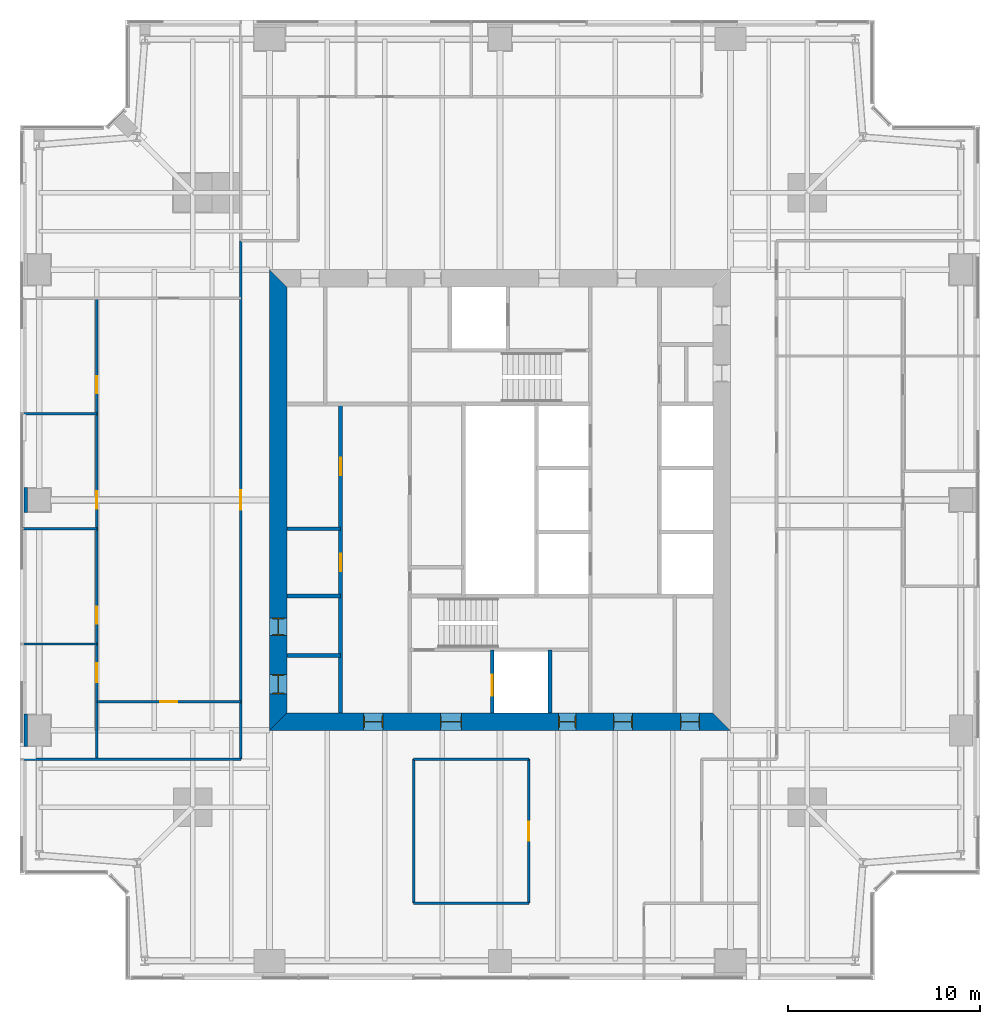
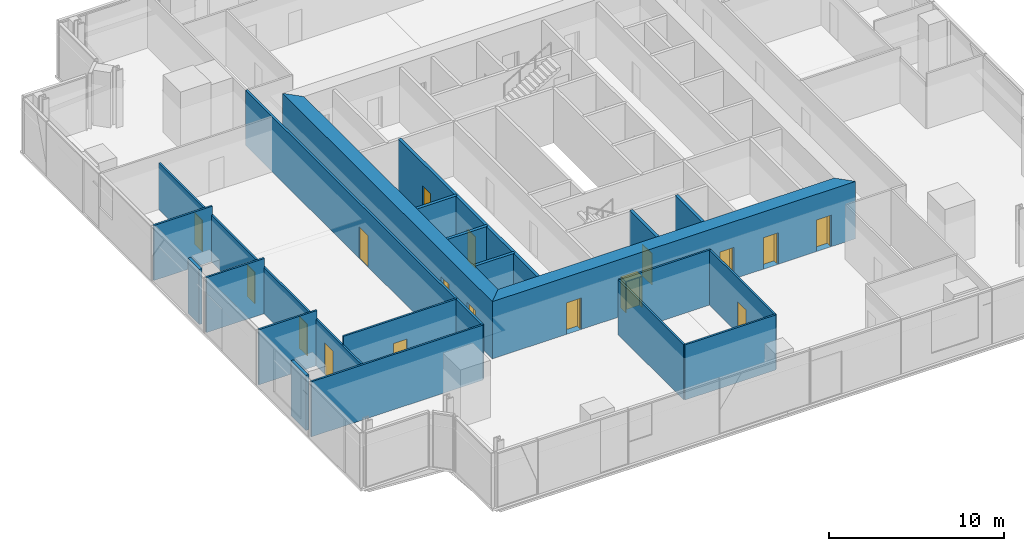
# One storey, part 9 of 14: 21 walls, 17 doors, 17 openings.
"""IFC4 building model written with IfcOpenShell, lengths in metres."""

from ifc_helpers import new_model, si_unit, direction, frame, frame_2d, origin, place, context, subcontext, project, spatial, polyline, rectangle, outline, extrude, material, layer, layer_set, type_object, element, fill, save


model = new_model("IFC4")

# Units and contexts
model_context = context("Model", 3, precision=1e-05, world=origin(), true_north=direction((0.0, 1.0)))
body_context = subcontext(model_context, "Body", "Model", "MODEL_VIEW")
ifc_project = project(units=[si_unit("LENGTHUNIT", "METRE"), si_unit("AREAUNIT", "SQUARE_METRE"), si_unit("VOLUMEUNIT", "CUBIC_METRE"), si_unit("PLANEANGLEUNIT", "RADIAN"), si_unit("MASSUNIT", "GRAM", prefix="KILO")], contexts=[model_context])

# Site, building, storey
site_placement = place(None, origin())
site = spatial("IfcSite", under=ifc_project, at=site_placement, CompositionType="ELEMENT")
building_placement = place(site_placement, origin())
building = spatial("IfcBuilding", under=site, at=building_placement, Name="Fenwick Lantern Interchange", CompositionType="ELEMENT")
storey_placement = place(building_placement, frame((0.0, 0.0, 173.800048828125)))
storey = spatial("IfcBuildingStorey", under=building, at=storey_placement, Name="L40", CompositionType="ELEMENT", Elevation=173.800048828125)

# Walls
ifc_material_1 = material(Name="Fire-rated gypsum board encasement on steel studs, 2 hour", Category="steel")
ifc_layer_1 = layer(ifc_material_1, 1.300048828125)
ifc_layer_set_1 = layer_set([ifc_layer_1], Name="COLUMN PIER 1300")
wall_type_1 = type_object("IfcWallType", Name="COLUMN PIER 1300", PredefinedType="PARTITIONING", material=ifc_layer_set_1)
wall_1_placement = place(storey_placement, frame((0.199951171875, 25.0, 0.0), z_axis=(0.0, 0.0, 1.0), x_axis=(1.0, 0.0, 0.0)))
element("IfcWall", 1, at=wall_1_placement, inside=storey, type_object=wall_type_1, Name="L40/W/PIER/CW3", PredefinedType="PARTITIONING", context=body_context, shape_type="SweptSolid", body=[
    extrude(rectangle(XDim=0.199951171875, YDim=1.300048828125, at=frame_2d((0.10009765625, 0.0))), origin(), (0.0, 0.0, 1.0), 3.849853515625),
])
ifc_layer_2 = layer(ifc_material_1, 1.699951171875)
ifc_layer_set_2 = layer_set([ifc_layer_2], Name="COLUMN PIER 1700")
wall_type_2 = type_object("IfcWallType", Name="COLUMN PIER 1700", PredefinedType="PARTITIONING", material=ifc_layer_set_2)
wall_2_placement = place(storey_placement, frame((0.199951171875, 13.0, 0.0), z_axis=(0.0, 0.0, 1.0), x_axis=(1.0, 0.0, 0.0)))
element("IfcWall", 2, at=wall_2_placement, inside=storey, type_object=wall_type_2, Name="L40/W/PIER/CW4", PredefinedType="PARTITIONING", context=body_context, shape_type="SweptSolid", body=[
    extrude(rectangle(XDim=0.199951171875, YDim=1.699951171875, at=frame_2d((0.10009765625, 0.0))), origin(), (0.0, 0.0, 1.0), 3.849853515625),
])

# Wall, openings, doors
ifc_material_2 = material(Name="Concrete masonry ASTM C90 Grade N", Category="masonry")
ifc_layer_3 = layer(ifc_material_2, 0.199951171875)
ifc_layer_set_3 = layer_set([ifc_layer_3], Name="Concrete masonry ASTM C90 Grade N")
wall_type_3 = type_object("IfcWallType", Name="CORE PARTITION 200", PredefinedType="PARTITIONING", material=ifc_layer_set_3)
wall_3_placement = place(storey_placement, frame((16.699951171875, 13.89990234375, 0.0), z_axis=(0.0, 0.0, 1.0), x_axis=(0.0, 1.0, 0.0)))
wall_3 = element("IfcWall", 3, at=wall_3_placement, inside=storey, type_object=wall_type_3, Name="L40/W/CORES/a", PredefinedType="PARTITIONING", context=body_context, shape_type="SweptSolid", body=[
    extrude(rectangle(XDim=16.10009765625, YDim=0.199951171875, at=frame_2d((8.050048828125, 0.0))), origin(), (0.0, 0.0, 1.0), 3.800048828125),
])
opening_1_placement = place(wall_3_placement, frame((7.39990234375, 0.0, 0.0)))
opening_1 = element("IfcOpeningElement", 4, at=opening_1_placement, cuts=wall_3, Name="Opening L40-D009", PredefinedType="OPENING", context=body_context, shape_type="SweptSolid", body=[
    extrude(rectangle(XDim=0.89990234375, YDim=2.199951171875, at=frame_2d((0.449951171875, 1.10009765625))), frame((0.0, 0.10986328125, 0.0), z_axis=(0.0, -1.0, 0.0), x_axis=(1.0, 0.0, 0.0)), (0.0, 0.0, 1.0), 0.219970703125),
])
opening_2_placement = place(wall_3_placement, frame((12.39990234375, 0.0, 0.0)))
opening_2 = element("IfcOpeningElement", 5, at=opening_2_placement, cuts=wall_3, Name="Opening L40-D010", PredefinedType="OPENING", context=body_context, shape_type="SweptSolid", body=[
    extrude(rectangle(XDim=0.89990234375, YDim=2.199951171875, at=frame_2d((0.449951171875, 1.10009765625))), frame((0.0, 0.10986328125, 0.0), z_axis=(0.0, -1.0, 0.0), x_axis=(1.0, 0.0, 0.0)), (0.0, 0.0, 1.0), 0.219970703125),
])
ifc_material_3 = material(Name="Steel door and frame", Category="steel")
door_type_1 = type_object("IfcDoorType", Name="SERVICE DOOR 900 X 2200", OperationType="SINGLE_SWING_LEFT", PredefinedType="DOOR", material=ifc_material_3)
door_1_placement = place(opening_1_placement, origin())
door_1 = element("IfcDoor", 6, at=door_1_placement, inside=storey, type_object=door_type_1, Name="Service door", OperationType="SINGLE_SWING_LEFT", OverallHeight=2.199951171875, OverallWidth=0.89990234375, PredefinedType="DOOR", context=body_context, shape_type="SweptSolid", body=[
    extrude(rectangle(XDim=0.89990234375, YDim=2.199951171875, at=frame_2d((0.449951171875, 1.10009765625))), frame((0.0, 0.02490234375, 0.0), z_axis=(0.0, -1.0, 0.0), x_axis=(1.0, 0.0, 0.0)), (0.0, 0.0, 1.0), 0.050048828125),
])
fill(opening_1, door_1)
door_2_placement = place(opening_2_placement, origin())
door_2 = element("IfcDoor", 7, at=door_2_placement, inside=storey, type_object=door_type_1, Name="Service door", OperationType="SINGLE_SWING_LEFT", OverallHeight=2.199951171875, OverallWidth=0.89990234375, PredefinedType="DOOR", context=body_context, shape_type="SweptSolid", body=[
    extrude(rectangle(XDim=0.89990234375, YDim=2.199951171875, at=frame_2d((0.449951171875, 1.10009765625))), frame((0.0, 0.02490234375, 0.0), z_axis=(0.0, -1.0, 0.0), x_axis=(1.0, 0.0, 0.0)), (0.0, 0.0, 1.0), 0.050048828125),
])
fill(opening_2, door_2)

# Wall, opening, door
wall_4_placement = place(storey_placement, frame((24.60009765625, 13.89990234375, 0.0), z_axis=(0.0, 0.0, 1.0), x_axis=(0.0, 1.0, 0.0)))
wall_4 = element("IfcWall", 8, at=wall_4_placement, inside=storey, type_object=wall_type_3, Name="L40/W/CORES/h1", PredefinedType="PARTITIONING", context=body_context, shape_type="SweptSolid", body=[
    extrude(rectangle(XDim=3.300048828125, YDim=0.199951171875, at=frame_2d((1.64990234375, 0.0))), origin(), (0.0, 0.0, 1.0), 3.800048828125),
])
opening_3_placement = place(wall_4_placement, frame((0.89990234375, 0.0, 0.0)))
opening_3 = element("IfcOpeningElement", 9, at=opening_3_placement, cuts=wall_4, Name="Opening LD-FL1", PredefinedType="OPENING", context=body_context, shape_type="SweptSolid", body=[
    extrude(rectangle(XDim=1.10009765625, YDim=2.199951171875, at=frame_2d((0.550048828125, 1.10009765625))), frame((0.0, 0.10986328125, 0.0), z_axis=(0.0, -1.0, 0.0), x_axis=(1.0, 0.0, 0.0)), (0.0, 0.0, 1.0), 0.219970703125),
])
door_type_2 = type_object("IfcDoorType", Name="LIFT LANDING DOOR 1100 X 2200", OperationType="DOUBLE_DOOR_SLIDING", PredefinedType="DOOR", material=ifc_material_3)
door_3_placement = place(opening_3_placement, origin())
door_3 = element("IfcDoor", 10, at=door_3_placement, inside=storey, type_object=door_type_2, Name="Lift landing door FL1", OperationType="DOUBLE_DOOR_SLIDING", OverallHeight=2.199951171875, OverallWidth=1.10009765625, PredefinedType="DOOR", context=body_context, shape_type="SweptSolid", body=[
    extrude(rectangle(XDim=1.10009765625, YDim=2.199951171875, at=frame_2d((0.550048828125, 1.10009765625))), frame((0.0, 0.02490234375, 0.0), z_axis=(0.0, -1.0, 0.0), x_axis=(1.0, 0.0, 0.0)), (0.0, 0.0, 1.0), 0.050048828125),
])
fill(opening_3, door_3)

# Walls
wall_5_placement = place(storey_placement, frame((27.60009765625, 13.89990234375, 0.0), z_axis=(0.0, 0.0, 1.0), x_axis=(0.0, 1.0, 0.0)))
element("IfcWall", 11, at=wall_5_placement, inside=storey, type_object=wall_type_3, Name="L40/W/CORES/h2", PredefinedType="PARTITIONING", context=body_context, shape_type="SweptSolid", body=[
    extrude(rectangle(XDim=3.300048828125, YDim=0.199951171875, at=frame_2d((1.64990234375, 0.0))), origin(), (0.0, 0.0, 1.0), 3.800048828125),
])
for number, where, z_axis, x_axis, name in (
    (12, (13.89990234375, 16.89990234375, 0.0), (0.0, 0.0, 1.0), (1.0, 0.0, 0.0), "L40/W/CORES/p1"),
    (13, (13.89990234375, 20.0, 0.0), (0.0, 0.0, 1.0), (1.0, 0.0, 0.0), "L40/W/CORES/p2"),
    (14, (13.89990234375, 23.5, 0.0), (0.0, 0.0, 1.0), (1.0, 0.0, 0.0), "L40/W/CORES/p3"),
):
    element("IfcWall", number, at=place(storey_placement, frame(where, z_axis=z_axis, x_axis=x_axis)), inside=storey, type_object=wall_type_3, Name=name, PredefinedType="PARTITIONING", context=body_context, shape_type="SweptSolid", body=[
        extrude(rectangle(XDim=2.800048828125, YDim=0.199951171875, at=frame_2d((1.39990234375, 0.0))), origin(), (0.0, 0.0, 1.0), 3.800048828125),
    ])

# Wall, openings, doors
ifc_material_4 = material(Name="Concrete f'c 70 MPa", Category="concrete")
ifc_layer_4 = layer(ifc_material_4, 0.89990234375)
ifc_layer_set_4 = layer_set([ifc_layer_4], Name="CORE WALL 900")
wall_type_4 = type_object("IfcWallType", Name="CORE WALL 900", PredefinedType="SHEAR", material=ifc_layer_set_4)
wall_6_placement = place(storey_placement, frame((13.0, 13.449951171875, 0.0), z_axis=(0.0, 0.0, 1.0), x_axis=(1.0, 0.0, 0.0)))
wall_6 = element("IfcWall", 15, at=wall_6_placement, inside=storey, type_object=wall_type_4, Name="L40/CORE/S", PredefinedType="SHEAR", context=body_context, shape_type="SweptSolid", body=[
    extrude(outline(polyline([(0.0, -0.449951171875), (24.0, -0.449951171875), (23.10009765625, 0.449951171875), (0.89990234375, 0.449951171875), (0.0, -0.449951171875)])), origin(), (0.0, 0.0, 1.0), 4.0),
])
opening_4_placement = place(wall_6_placement, frame((4.89990234375, 0.0, 0.0)))
opening_4 = element("IfcOpeningElement", 16, at=opening_4_placement, cuts=wall_6, Name="Opening L40-D001", PredefinedType="OPENING", context=body_context, shape_type="SweptSolid", body=[
    extrude(rectangle(XDim=1.0, YDim=2.199951171875, at=frame_2d((0.5, 1.10009765625))), frame((0.0, 0.4599609375, 0.0), z_axis=(0.0, -1.0, 0.0), x_axis=(1.0, 0.0, 0.0)), (0.0, 0.0, 1.0), 0.919921875),
])
opening_5_placement = place(wall_6_placement, frame((8.89990234375, 0.0, 0.0)))
opening_5 = element("IfcOpeningElement", 17, at=opening_5_placement, cuts=wall_6, Name="Opening L40-D002", PredefinedType="OPENING", context=body_context, shape_type="SweptSolid", body=[
    extrude(rectangle(XDim=1.10009765625, YDim=2.199951171875, at=frame_2d((0.550048828125, 1.10009765625))), frame((0.0, 0.4599609375, 0.0), z_axis=(0.0, -1.0, 0.0), x_axis=(1.0, 0.0, 0.0)), (0.0, 0.0, 1.0), 0.919921875),
])
opening_6_placement = place(wall_6_placement, frame((15.050048828125, 0.0, 0.0)))
opening_6 = element("IfcOpeningElement", 18, at=opening_6_placement, cuts=wall_6, Name="Opening L40-D004", PredefinedType="OPENING", context=body_context, shape_type="SweptSolid", body=[
    extrude(rectangle(XDim=0.89990234375, YDim=2.199951171875, at=frame_2d((0.449951171875, 1.10009765625))), frame((0.0, 0.4599609375, 0.0), z_axis=(0.0, -1.0, 0.0), x_axis=(1.0, 0.0, 0.0)), (0.0, 0.0, 1.0), 0.919921875),
])
opening_7_placement = place(wall_6_placement, frame((17.89990234375, 0.0, 0.0)))
opening_7 = element("IfcOpeningElement", 19, at=opening_7_placement, cuts=wall_6, Name="Opening L40-D005", PredefinedType="OPENING", context=body_context, shape_type="SweptSolid", body=[
    extrude(rectangle(XDim=1.0, YDim=2.199951171875, at=frame_2d((0.5, 1.10009765625))), frame((0.0, 0.4599609375, 0.0), z_axis=(0.0, -1.0, 0.0), x_axis=(1.0, 0.0, 0.0)), (0.0, 0.0, 1.0), 0.919921875),
])
opening_8_placement = place(wall_6_placement, frame((21.39990234375, 0.0, 0.0)))
opening_8 = element("IfcOpeningElement", 20, at=opening_8_placement, cuts=wall_6, Name="Opening L40-D006", PredefinedType="OPENING", context=body_context, shape_type="SweptSolid", body=[
    extrude(rectangle(XDim=1.0, YDim=2.199951171875, at=frame_2d((0.5, 1.10009765625))), frame((0.0, 0.4599609375, 0.0), z_axis=(0.0, -1.0, 0.0), x_axis=(1.0, 0.0, 0.0)), (0.0, 0.0, 1.0), 0.919921875),
])
door_type_3 = type_object("IfcDoorType", Name="CORE LOBBY DOOR 1000 X 2200", OperationType="SINGLE_SWING_LEFT", PredefinedType="DOOR", material=ifc_material_3)
door_4_placement = place(opening_4_placement, origin())
door_4 = element("IfcDoor", 21, at=door_4_placement, inside=storey, type_object=door_type_3, Name="Core lobby door", OperationType="SINGLE_SWING_LEFT", OverallHeight=2.199951171875, OverallWidth=1.0, PredefinedType="DOOR", context=body_context, shape_type="SweptSolid", body=[
    extrude(rectangle(XDim=1.0, YDim=2.199951171875, at=frame_2d((0.5, 1.10009765625))), frame((0.0, 0.02490234375, 0.0), z_axis=(0.0, -1.0, 0.0), x_axis=(1.0, 0.0, 0.0)), (0.0, 0.0, 1.0), 0.050048828125),
    extrude(outline(polyline([(0.0, 0.0), (0.0400390625, 0.0), (0.0400390625, 2.159912109375), (0.9599609375, 2.159912109375), (0.9599609375, 0.0), (1.0, 0.0), (1.0, 2.199951171875), (0.0, 2.199951171875), (0.0, 0.0)])), frame((0.0, 0.300048828125, 0.0), z_axis=(0.0, -1.0, 0.0), x_axis=(1.0, 0.0, 0.0)), (0.0, 0.0, 1.0), 0.60009765625),
])
fill(opening_4, door_4)
door_type_4 = type_object("IfcDoorType", Name="FIRE LOBBY DOOR 1100 X 2200", OperationType="SINGLE_SWING_LEFT", PredefinedType="DOOR", material=ifc_material_3)
door_5_placement = place(opening_5_placement, origin())
door_5 = element("IfcDoor", 22, at=door_5_placement, inside=storey, type_object=door_type_4, Name="Fire lobby door", OperationType="SINGLE_SWING_LEFT", OverallHeight=2.199951171875, OverallWidth=1.10009765625, PredefinedType="DOOR", context=body_context, shape_type="SweptSolid", body=[
    extrude(rectangle(XDim=1.10009765625, YDim=2.199951171875, at=frame_2d((0.550048828125, 1.10009765625))), frame((0.0, 0.02490234375, 0.0), z_axis=(0.0, -1.0, 0.0), x_axis=(1.0, 0.0, 0.0)), (0.0, 0.0, 1.0), 0.050048828125),
    extrude(outline(polyline([(0.0, 0.0), (0.0400390625, 0.0), (0.0400390625, 2.159912109375), (1.06005859375, 2.159912109375), (1.06005859375, 0.0), (1.10009765625, 0.0), (1.10009765625, 2.199951171875), (0.0, 2.199951171875), (0.0, 0.0)])), frame((0.0, 0.300048828125, 0.0), z_axis=(0.0, -1.0, 0.0), x_axis=(1.0, 0.0, 0.0)), (0.0, 0.0, 1.0), 0.60009765625),
])
fill(opening_5, door_5)
door_6_placement = place(opening_6_placement, origin())
door_6 = element("IfcDoor", 23, at=door_6_placement, inside=storey, type_object=door_type_1, Name="Service door", OperationType="SINGLE_SWING_LEFT", OverallHeight=2.199951171875, OverallWidth=0.89990234375, PredefinedType="DOOR", context=body_context, shape_type="SweptSolid", body=[
    extrude(rectangle(XDim=0.89990234375, YDim=2.199951171875, at=frame_2d((0.449951171875, 1.10009765625))), frame((0.0, 0.02490234375, 0.0), z_axis=(0.0, -1.0, 0.0), x_axis=(1.0, 0.0, 0.0)), (0.0, 0.0, 1.0), 0.050048828125),
    extrude(outline(polyline([(0.0, 0.0), (0.0400390625, 0.0), (0.0400390625, 2.159912109375), (0.85986328125, 2.159912109375), (0.85986328125, 0.0), (0.89990234375, 0.0), (0.89990234375, 2.199951171875), (0.0, 2.199951171875), (0.0, 0.0)])), frame((0.0, 0.300048828125, 0.0), z_axis=(0.0, -1.0, 0.0), x_axis=(1.0, 0.0, 0.0)), (0.0, 0.0, 1.0), 0.60009765625),
])
fill(opening_6, door_6)
ifc_material_5 = material(Name="Hardwood door and steel frame", Category="steel")
door_type_5 = type_object("IfcDoorType", Name="WC DOOR 1000 X 2200", OperationType="SINGLE_SWING_LEFT", PredefinedType="DOOR", material=ifc_material_5)
door_7_placement = place(opening_7_placement, origin())
door_7 = element("IfcDoor", 24, at=door_7_placement, inside=storey, type_object=door_type_5, Name="Wc door", OperationType="SINGLE_SWING_LEFT", OverallHeight=2.199951171875, OverallWidth=1.0, PredefinedType="DOOR", context=body_context, shape_type="SweptSolid", body=[
    extrude(rectangle(XDim=1.0, YDim=2.199951171875, at=frame_2d((0.5, 1.10009765625))), frame((0.0, 0.02490234375, 0.0), z_axis=(0.0, -1.0, 0.0), x_axis=(1.0, 0.0, 0.0)), (0.0, 0.0, 1.0), 0.050048828125),
    extrude(outline(polyline([(0.0, 0.0), (0.0400390625, 0.0), (0.0400390625, 2.159912109375), (0.9599609375, 2.159912109375), (0.9599609375, 0.0), (1.0, 0.0), (1.0, 2.199951171875), (0.0, 2.199951171875), (0.0, 0.0)])), frame((0.0, 0.300048828125, 0.0), z_axis=(0.0, -1.0, 0.0), x_axis=(1.0, 0.0, 0.0)), (0.0, 0.0, 1.0), 0.60009765625),
])
fill(opening_7, door_7)
door_8_placement = place(opening_8_placement, origin())
door_8 = element("IfcDoor", 25, at=door_8_placement, inside=storey, type_object=door_type_5, Name="Wc door", OperationType="SINGLE_SWING_LEFT", OverallHeight=2.199951171875, OverallWidth=1.0, PredefinedType="DOOR", context=body_context, shape_type="SweptSolid", body=[
    extrude(rectangle(XDim=1.0, YDim=2.199951171875, at=frame_2d((0.5, 1.10009765625))), frame((0.0, 0.02490234375, 0.0), z_axis=(0.0, -1.0, 0.0), x_axis=(1.0, 0.0, 0.0)), (0.0, 0.0, 1.0), 0.050048828125),
    extrude(outline(polyline([(0.0, 0.0), (0.0400390625, 0.0), (0.0400390625, 2.159912109375), (0.9599609375, 2.159912109375), (0.9599609375, 0.0), (1.0, 0.0), (1.0, 2.199951171875), (0.0, 2.199951171875), (0.0, 0.0)])), frame((0.0, 0.300048828125, 0.0), z_axis=(0.0, -1.0, 0.0), x_axis=(1.0, 0.0, 0.0)), (0.0, 0.0, 1.0), 0.60009765625),
])
fill(opening_8, door_8)

wall_7_placement = place(storey_placement, frame((13.449951171875, 36.10009765625, 0.0), z_axis=(0.0, 0.0, 1.0), x_axis=(0.0, -1.0, 0.0)))
wall_7 = element("IfcWall", 26, at=wall_7_placement, inside=storey, type_object=wall_type_4, Name="L40/CORE/W", PredefinedType="SHEAR", context=body_context, shape_type="SweptSolid", body=[
    extrude(outline(polyline([(-0.89990234375, -0.449951171875), (23.10009765625, -0.449951171875), (22.199951171875, 0.449951171875), (0.0, 0.449951171875), (-0.89990234375, -0.449951171875)])), origin(), (0.0, 0.0, 1.0), 4.0),
])
opening_9_placement = place(wall_7_placement, frame((20.199951171875, 0.0, 0.0)))
opening_9 = element("IfcOpeningElement", 27, at=opening_9_placement, cuts=wall_7, Name="Opening L40-D007", PredefinedType="OPENING", context=body_context, shape_type="SweptSolid", body=[
    extrude(rectangle(XDim=1.0, YDim=2.199951171875, at=frame_2d((0.5, 1.10009765625))), frame((0.0, 0.4599609375, 0.0), z_axis=(0.0, -1.0, 0.0), x_axis=(1.0, 0.0, 0.0)), (0.0, 0.0, 1.0), 0.919921875),
])
opening_10_placement = place(wall_7_placement, frame((17.25, 0.0, 0.0)))
opening_10 = element("IfcOpeningElement", 28, at=opening_10_placement, cuts=wall_7, Name="Opening L40-D008", PredefinedType="OPENING", context=body_context, shape_type="SweptSolid", body=[
    extrude(rectangle(XDim=0.89990234375, YDim=2.199951171875, at=frame_2d((0.449951171875, 1.10009765625))), frame((0.0, 0.4599609375, 0.0), z_axis=(0.0, -1.0, 0.0), x_axis=(1.0, 0.0, 0.0)), (0.0, 0.0, 1.0), 0.919921875),
])
door_9_placement = place(opening_10_placement, origin())
door_9 = element("IfcDoor", 29, at=door_9_placement, inside=storey, type_object=door_type_1, Name="Service door", OperationType="SINGLE_SWING_RIGHT", OverallHeight=2.199951171875, OverallWidth=0.89990234375, PredefinedType="DOOR", context=body_context, shape_type="SweptSolid", body=[
    extrude(rectangle(XDim=0.89990234375, YDim=2.199951171875, at=frame_2d((0.449951171875, 1.10009765625))), frame((0.0, 0.02490234375, 0.0), z_axis=(0.0, -1.0, 0.0), x_axis=(1.0, 0.0, 0.0)), (0.0, 0.0, 1.0), 0.050048828125),
    extrude(outline(polyline([(0.0, 0.0), (0.0400390625, 0.0), (0.0400390625, 2.159912109375), (0.85986328125, 2.159912109375), (0.85986328125, 0.0), (0.89990234375, 0.0), (0.89990234375, 2.199951171875), (0.0, 2.199951171875), (0.0, 0.0)])), frame((0.0, 0.300048828125, 0.0), z_axis=(0.0, -1.0, 0.0), x_axis=(1.0, 0.0, 0.0)), (0.0, 0.0, 1.0), 0.60009765625),
])
fill(opening_10, door_9)
door_10_placement = place(opening_9_placement, origin())
door_10 = element("IfcDoor", 30, at=door_10_placement, inside=storey, type_object=door_type_5, Name="Wc door", OperationType="SINGLE_SWING_LEFT", OverallHeight=2.199951171875, OverallWidth=1.0, PredefinedType="DOOR", context=body_context, shape_type="SweptSolid", body=[
    extrude(rectangle(XDim=1.0, YDim=2.199951171875, at=frame_2d((0.5, 1.10009765625))), frame((0.0, 0.02490234375, 0.0), z_axis=(0.0, -1.0, 0.0), x_axis=(1.0, 0.0, 0.0)), (0.0, 0.0, 1.0), 0.050048828125),
    extrude(outline(polyline([(0.0, 0.0), (0.0400390625, 0.0), (0.0400390625, 2.159912109375), (0.9599609375, 2.159912109375), (0.9599609375, 0.0), (1.0, 0.0), (1.0, 2.199951171875), (0.0, 2.199951171875), (0.0, 0.0)])), frame((0.0, 0.300048828125, 0.0), z_axis=(0.0, -1.0, 0.0), x_axis=(1.0, 0.0, 0.0)), (0.0, 0.0, 1.0), 0.60009765625),
])
fill(opening_9, door_10)

# Wall, opening, door
ifc_material_6 = material(Name="Gypsum board on steel studs, 1 hour", Category="steel")
ifc_layer_5 = layer(ifc_material_6, 0.14990234375)
ifc_layer_set_5 = layer_set([ifc_layer_5], Name="CORRIDOR WALL 150")
wall_type_5 = type_object("IfcWallType", Name="CORRIDOR WALL 150", PredefinedType="PARTITIONING", material=ifc_layer_set_5)
wall_8_placement = place(storey_placement, frame((11.5, 38.5, 0.0), z_axis=(0.0, 0.0, 1.0), x_axis=(0.0, -1.0, 0.0)))
wall_8 = element("IfcWall", 31, at=wall_8_placement, inside=storey, type_object=wall_type_5, Name="L40/W/OFF/W/CW", PredefinedType="PARTITIONING", context=body_context, shape_type="SweptSolid", body=[
    extrude(rectangle(XDim=27.0, YDim=0.14990234375, at=frame_2d((13.5, 0.0))), origin(), (0.0, 0.0, 1.0), 3.849853515625),
])
opening_11_placement = place(wall_8_placement, frame((13.0, 0.0, 0.0)))
opening_11 = element("IfcOpeningElement", 32, at=opening_11_placement, cuts=wall_8, Name="Opening L40-D036", PredefinedType="OPENING", context=body_context, shape_type="SweptSolid", body=[
    extrude(rectangle(XDim=1.0, YDim=2.199951171875, at=frame_2d((0.5, 1.10009765625))), frame((0.0, 0.0849609375, 0.0), z_axis=(0.0, -1.0, 0.0), x_axis=(1.0, 0.0, 0.0)), (0.0, 0.0, 1.0), 0.169921875),
])
door_type_6 = type_object("IfcDoorType", Name="SUITE ENTRANCE DOOR 1000 X 2200", OperationType="SINGLE_SWING_LEFT", PredefinedType="DOOR", material=ifc_material_3)
door_11_placement = place(opening_11_placement, frame((1.0, 0.0, 0.0), z_axis=(0.0, 0.0, 1.0), x_axis=(-1.0, 0.0, 0.0)))
door_11 = element("IfcDoor", 33, at=door_11_placement, inside=storey, type_object=door_type_6, Name="Suite entrance door", OperationType="SINGLE_SWING_RIGHT", OverallHeight=2.199951171875, OverallWidth=1.0, PredefinedType="DOOR", context=body_context, shape_type="SweptSolid", body=[
    extrude(rectangle(XDim=1.0, YDim=2.199951171875, at=frame_2d((0.5, 1.10009765625))), frame((0.0, 0.02490234375, 0.0), z_axis=(0.0, -1.0, 0.0), x_axis=(1.0, 0.0, 0.0)), (0.0, 0.0, 1.0), 0.050048828125),
])
fill(opening_11, door_11)

# Walls
ifc_material_7 = material(Name="Gypsum board on steel studs, acoustic", Category="steel")
ifc_layer_6 = layer(ifc_material_7, 0.125)
ifc_layer_set_6 = layer_set([ifc_layer_6], Name="OFFICE PARTITION 125")
wall_type_6 = type_object("IfcWallType", Name="OFFICE PARTITION 125", PredefinedType="PARTITIONING", material=ifc_layer_set_6)
wall_9_placement = place(storey_placement, frame((0.14990234375, 11.5, 0.0), z_axis=(0.0, 0.0, 1.0), x_axis=(1.0, 0.0, 0.0)))
element("IfcWall", 34, at=wall_9_placement, inside=storey, type_object=wall_type_6, Name="L40/W/OFF/S/BACK", PredefinedType="PARTITIONING", context=body_context, shape_type="SweptSolid", body=[
    extrude(rectangle(XDim=11.35009765625, YDim=0.125, at=frame_2d((5.675048828125, 0.0))), origin(), (0.0, 0.0, 1.0), 3.849853515625),
])
wall_10_placement = place(storey_placement, frame((20.5, 4.0, 0.0), z_axis=(0.0, 0.0, 1.0), x_axis=(0.0, 1.0, 0.0)))
element("IfcWall", 35, at=wall_10_placement, inside=storey, type_object=wall_type_6, Name="L40/W/OFF/S/X205-1", PredefinedType="PARTITIONING", context=body_context, shape_type="SweptSolid", body=[
    extrude(rectangle(XDim=7.5, YDim=0.125, at=frame_2d((3.75, 0.0))), origin(), (0.0, 0.0, 1.0), 3.849853515625),
])

# Wall, opening, door
wall_11_placement = place(storey_placement, frame((26.5, 4.0, 0.0), z_axis=(0.0, 0.0, 1.0), x_axis=(0.0, 1.0, 0.0)))
wall_11 = element("IfcWall", 36, at=wall_11_placement, inside=storey, type_object=wall_type_6, Name="L40/W/OFF/S/X265-1", PredefinedType="PARTITIONING", context=body_context, shape_type="SweptSolid", body=[
    extrude(rectangle(XDim=7.5, YDim=0.125, at=frame_2d((3.75, 0.0))), origin(), (0.0, 0.0, 1.0), 3.849853515625),
])
opening_12_placement = place(wall_11_placement, frame((3.25, 0.0, 0.0)))
opening_12 = element("IfcOpeningElement", 37, at=opening_12_placement, cuts=wall_11, Name="Opening L40-D022", PredefinedType="OPENING", context=body_context, shape_type="SweptSolid", body=[
    extrude(rectangle(XDim=1.0, YDim=2.199951171875, at=frame_2d((0.5, 1.10009765625))), frame((0.0, 0.072509765625, 0.0), z_axis=(0.0, -1.0, 0.0), x_axis=(1.0, 0.0, 0.0)), (0.0, 0.0, 1.0), 0.14501953125),
])
door_type_7 = type_object("IfcDoorType", Name="MEETING ROOM DOOR 1000 X 2200", OperationType="SINGLE_SWING_LEFT", PredefinedType="DOOR", material=ifc_material_5)
door_12_placement = place(opening_12_placement, origin())
door_12 = element("IfcDoor", 38, at=door_12_placement, inside=storey, type_object=door_type_7, Name="Meeting room door", OperationType="SINGLE_SWING_LEFT", OverallHeight=2.199951171875, OverallWidth=1.0, PredefinedType="DOOR", context=body_context, shape_type="SweptSolid", body=[
    extrude(rectangle(XDim=1.0, YDim=2.199951171875, at=frame_2d((0.5, 1.10009765625))), frame((0.0, 0.02490234375, 0.0), z_axis=(0.0, -1.0, 0.0), x_axis=(1.0, 0.0, 0.0)), (0.0, 0.0, 1.0), 0.050048828125),
])
fill(opening_12, door_12)

# Walls
for number, where, z_axis, x_axis, name in (
    (39, (20.5, 4.0, 0.0), (0.0, 0.0, 1.0), (1.0, 0.0, 0.0), "L40/W/OFF/S/Y40-1"),
    (40, (20.5, 11.5, 0.0), (0.0, 0.0, 1.0), (1.0, 0.0, 0.0), "L40/W/OFF/S/CWS1"),
):
    element("IfcWall", number, at=place(storey_placement, frame(where, z_axis=z_axis, x_axis=x_axis)), inside=storey, type_object=wall_type_6, Name=name, PredefinedType="PARTITIONING", context=body_context, shape_type="SweptSolid", body=[
        extrude(rectangle(XDim=6.0, YDim=0.125, at=frame_2d((3.0, 0.0))), origin(), (0.0, 0.0, 1.0), 3.849853515625),
    ])
for number, where, z_axis, x_axis, name in (
    (41, (0.14990234375, 29.5, 0.0), (0.0, 0.0, 1.0), (1.0, 0.0, 0.0), "L40/W/OFF/W/X205-1"),
    (42, (0.14990234375, 23.5, 0.0), (0.0, 0.0, 1.0), (1.0, 0.0, 0.0), "L40/W/OFF/W/X265-1"),
    (43, (0.14990234375, 17.5, 0.0), (0.0, 0.0, 1.0), (1.0, 0.0, 0.0), "L40/W/OFF/W/X325-1"),
):
    element("IfcWall", number, at=place(storey_placement, frame(where, z_axis=z_axis, x_axis=x_axis)), inside=storey, type_object=wall_type_6, Name=name, PredefinedType="PARTITIONING", context=body_context, shape_type="SweptSolid", body=[
        extrude(rectangle(XDim=3.85009765625, YDim=0.125, at=frame_2d((1.925048828125, 0.0))), origin(), (0.0, 0.0, 1.0), 3.849853515625),
    ])

# Wall, opening, door
wall_12_placement = place(storey_placement, frame((4.0, 14.5, 0.0), z_axis=(0.0, 0.0, 1.0), x_axis=(1.0, 0.0, 0.0)))
wall_12 = element("IfcWall", 44, at=wall_12_placement, inside=storey, type_object=wall_type_6, Name="L40/W/OFF/W/X355-1", PredefinedType="PARTITIONING", context=body_context, shape_type="SweptSolid", body=[
    extrude(rectangle(XDim=7.5, YDim=0.125, at=frame_2d((3.75, 0.0))), origin(), (0.0, 0.0, 1.0), 3.849853515625),
])
opening_13_placement = place(wall_12_placement, frame((3.300048828125, 0.0, 0.0)))
opening_13 = element("IfcOpeningElement", 45, at=opening_13_placement, cuts=wall_12, Name="Opening L40-D042", PredefinedType="OPENING", context=body_context, shape_type="SweptSolid", body=[
    extrude(rectangle(XDim=0.89990234375, YDim=2.199951171875, at=frame_2d((0.449951171875, 1.10009765625))), frame((0.0, 0.072509765625, 0.0), z_axis=(0.0, -1.0, 0.0), x_axis=(1.0, 0.0, 0.0)), (0.0, 0.0, 1.0), 0.14501953125),
])
door_type_8 = type_object("IfcDoorType", Name="OFFICE DOOR 900 X 2200", OperationType="SINGLE_SWING_LEFT", PredefinedType="DOOR", material=ifc_material_5)
door_13_placement = place(opening_13_placement, frame((0.89990234375, 0.0, 0.0), z_axis=(0.0, 0.0, 1.0), x_axis=(-1.0, 0.0, 0.0)))
door_13 = element("IfcDoor", 46, at=door_13_placement, inside=storey, type_object=door_type_8, Name="Office door", OperationType="SINGLE_SWING_RIGHT", OverallHeight=2.199951171875, OverallWidth=0.89990234375, PredefinedType="DOOR", context=body_context, shape_type="SweptSolid", body=[
    extrude(rectangle(XDim=0.89990234375, YDim=2.199951171875, at=frame_2d((0.449951171875, 1.10009765625))), frame((0.0, 0.02490234375, 0.0), z_axis=(0.0, -1.0, 0.0), x_axis=(1.0, 0.0, 0.0)), (0.0, 0.0, 1.0), 0.050048828125),
])
fill(opening_13, door_13)

# Wall, openings, doors
wall_13_placement = place(storey_placement, frame((4.0, 35.5, 0.0), z_axis=(0.0, 0.0, 1.0), x_axis=(0.0, -1.0, 0.0)))
wall_13 = element("IfcWall", 47, at=wall_13_placement, inside=storey, type_object=wall_type_6, Name="L40/W/OFF/W/Y40-1", PredefinedType="PARTITIONING", context=body_context, shape_type="SweptSolid", body=[
    extrude(rectangle(XDim=24.0, YDim=0.125, at=frame_2d((12.0, 0.0))), origin(), (0.0, 0.0, 1.0), 3.23779296875),
])
opening_14_placement = place(wall_13_placement, frame((4.050048828125, 0.0, 0.0)))
opening_14 = element("IfcOpeningElement", 48, at=opening_14_placement, cuts=wall_13, Name="Opening L40-D038", PredefinedType="OPENING", context=body_context, shape_type="SweptSolid", body=[
    extrude(rectangle(XDim=0.89990234375, YDim=2.199951171875, at=frame_2d((0.449951171875, 1.10009765625))), frame((0.0, 0.072509765625, 0.0), z_axis=(0.0, -1.0, 0.0), x_axis=(1.0, 0.0, 0.0)), (0.0, 0.0, 1.0), 0.14501953125),
])
opening_15_placement = place(wall_13_placement, frame((10.050048828125, 0.0, 0.0)))
opening_15 = element("IfcOpeningElement", 49, at=opening_15_placement, cuts=wall_13, Name="Opening L40-D039", PredefinedType="OPENING", context=body_context, shape_type="SweptSolid", body=[
    extrude(rectangle(XDim=0.89990234375, YDim=2.199951171875, at=frame_2d((0.449951171875, 1.10009765625))), frame((0.0, 0.072509765625, 0.0), z_axis=(0.0, -1.0, 0.0), x_axis=(1.0, 0.0, 0.0)), (0.0, 0.0, 1.0), 0.14501953125),
])
opening_16_placement = place(wall_13_placement, frame((16.050048828125, 0.0, 0.0)))
opening_16 = element("IfcOpeningElement", 50, at=opening_16_placement, cuts=wall_13, Name="Opening L40-D040", PredefinedType="OPENING", context=body_context, shape_type="SweptSolid", body=[
    extrude(rectangle(XDim=0.89990234375, YDim=2.199951171875, at=frame_2d((0.449951171875, 1.10009765625))), frame((0.0, 0.072509765625, 0.0), z_axis=(0.0, -1.0, 0.0), x_axis=(1.0, 0.0, 0.0)), (0.0, 0.0, 1.0), 0.14501953125),
])
opening_17_placement = place(wall_13_placement, frame((19.0, 0.0, 0.0)))
opening_17 = element("IfcOpeningElement", 51, at=opening_17_placement, cuts=wall_13, Name="Opening L40-D041", PredefinedType="OPENING", context=body_context, shape_type="SweptSolid", body=[
    extrude(rectangle(XDim=1.0, YDim=2.199951171875, at=frame_2d((0.5, 1.10009765625))), frame((0.0, 0.072509765625, 0.0), z_axis=(0.0, -1.0, 0.0), x_axis=(1.0, 0.0, 0.0)), (0.0, 0.0, 1.0), 0.14501953125),
])
door_14_placement = place(opening_17_placement, frame((1.0, 0.0, 0.0), z_axis=(0.0, 0.0, 1.0), x_axis=(-1.0, 0.0, 0.0)))
door_14 = element("IfcDoor", 52, at=door_14_placement, inside=storey, type_object=door_type_7, Name="Meeting room door", OperationType="SINGLE_SWING_RIGHT", OverallHeight=2.199951171875, OverallWidth=1.0, PredefinedType="DOOR", context=body_context, shape_type="SweptSolid", body=[
    extrude(rectangle(XDim=1.0, YDim=2.199951171875, at=frame_2d((0.5, 1.10009765625))), frame((0.0, 0.02490234375, 0.0), z_axis=(0.0, -1.0, 0.0), x_axis=(1.0, 0.0, 0.0)), (0.0, 0.0, 1.0), 0.050048828125),
])
fill(opening_17, door_14)
door_15_placement = place(opening_14_placement, frame((0.89990234375, 0.0, 0.0), z_axis=(0.0, 0.0, 1.0), x_axis=(-1.0, 0.0, 0.0)))
door_15 = element("IfcDoor", 53, at=door_15_placement, inside=storey, type_object=door_type_8, Name="Office door", OperationType="SINGLE_SWING_LEFT", OverallHeight=2.199951171875, OverallWidth=0.89990234375, PredefinedType="DOOR", context=body_context, shape_type="SweptSolid", body=[
    extrude(rectangle(XDim=0.89990234375, YDim=2.199951171875, at=frame_2d((0.449951171875, 1.10009765625))), frame((0.0, 0.02490234375, 0.0), z_axis=(0.0, -1.0, 0.0), x_axis=(1.0, 0.0, 0.0)), (0.0, 0.0, 1.0), 0.050048828125),
])
fill(opening_14, door_15)
door_16_placement = place(opening_15_placement, frame((0.89990234375, 0.0, 0.0), z_axis=(0.0, 0.0, 1.0), x_axis=(-1.0, 0.0, 0.0)))
door_16 = element("IfcDoor", 54, at=door_16_placement, inside=storey, type_object=door_type_8, Name="Office door", OperationType="SINGLE_SWING_LEFT", OverallHeight=2.199951171875, OverallWidth=0.89990234375, PredefinedType="DOOR", context=body_context, shape_type="SweptSolid", body=[
    extrude(rectangle(XDim=0.89990234375, YDim=2.199951171875, at=frame_2d((0.449951171875, 1.10009765625))), frame((0.0, 0.02490234375, 0.0), z_axis=(0.0, -1.0, 0.0), x_axis=(1.0, 0.0, 0.0)), (0.0, 0.0, 1.0), 0.050048828125),
])
fill(opening_15, door_16)
door_17_placement = place(opening_16_placement, frame((0.89990234375, 0.0, 0.0), z_axis=(0.0, 0.0, 1.0), x_axis=(-1.0, 0.0, 0.0)))
door_17 = element("IfcDoor", 55, at=door_17_placement, inside=storey, type_object=door_type_8, Name="Office door", OperationType="SINGLE_SWING_LEFT", OverallHeight=2.199951171875, OverallWidth=0.89990234375, PredefinedType="DOOR", context=body_context, shape_type="SweptSolid", body=[
    extrude(rectangle(XDim=0.89990234375, YDim=2.199951171875, at=frame_2d((0.449951171875, 1.10009765625))), frame((0.0, 0.02490234375, 0.0), z_axis=(0.0, -1.0, 0.0), x_axis=(1.0, 0.0, 0.0)), (0.0, 0.0, 1.0), 0.050048828125),
])
fill(opening_16, door_17)

save(model, "model.ifc")
